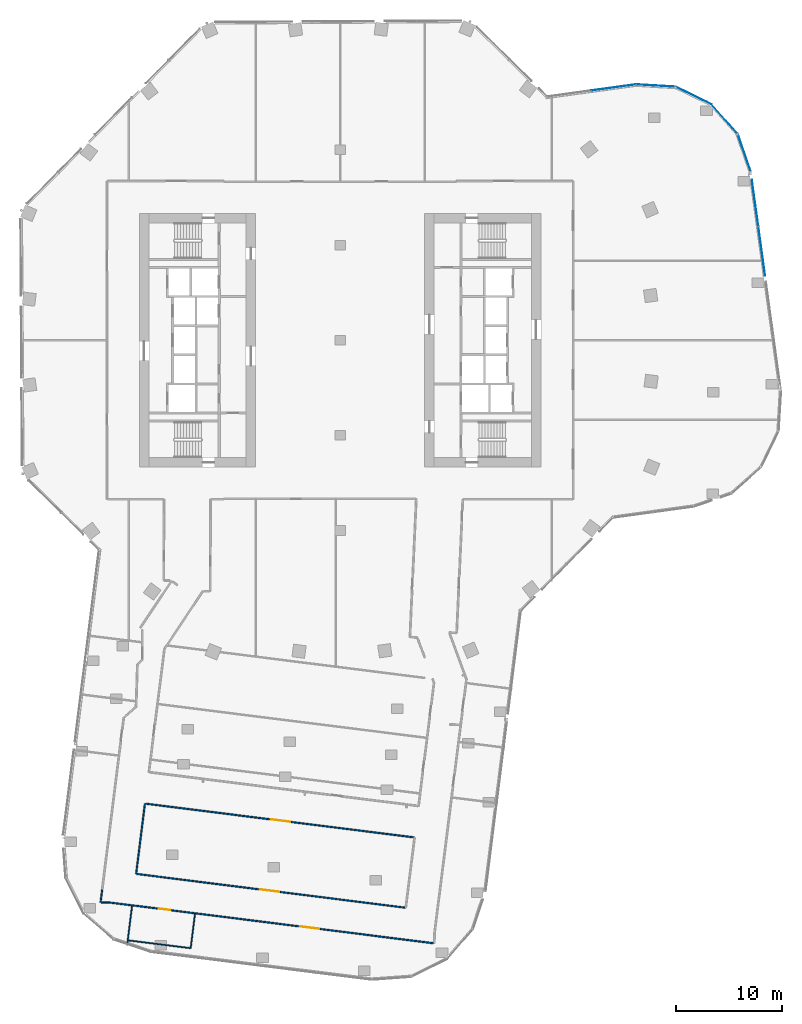
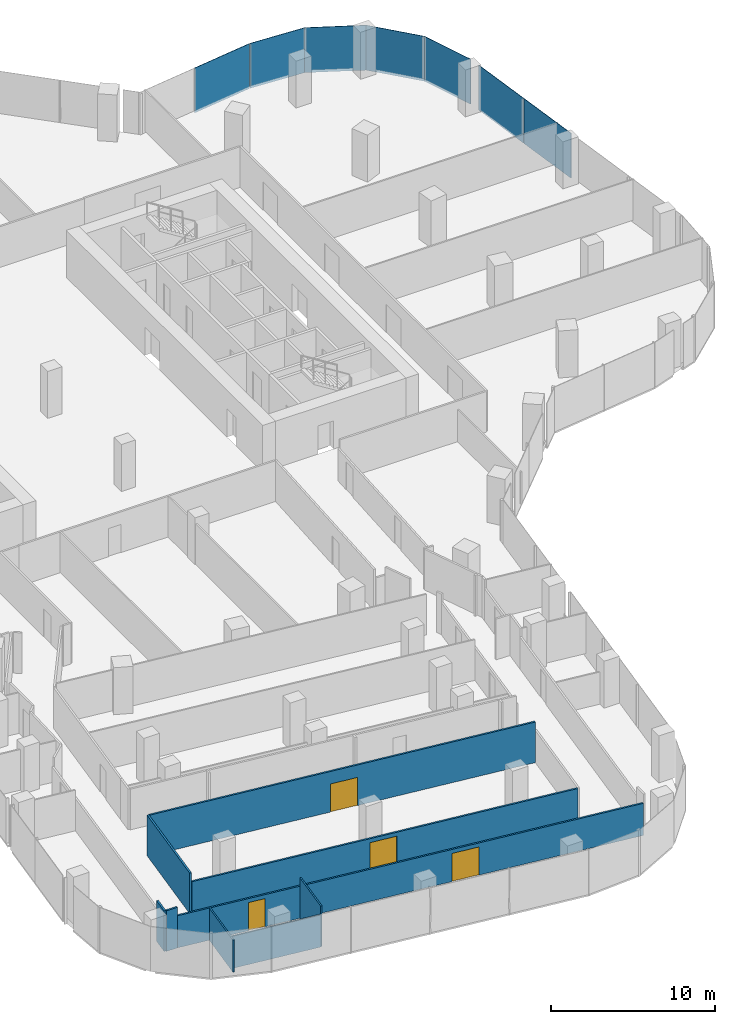
# One storey, part 18 of 27: 9 walls, 7 plates, 4 doors, 4 openings, 6 elements without a shape of their own.
"""IFC4 building model written with IfcOpenShell, lengths in metres."""

from ifc_helpers import new_model, si_unit, direction, frame, frame_2d, origin, origin_2d, place, context, subcontext, project, spatial, rectangle, extrude, material, layer, layer_set, type_object, element, fill, aggregate, save


model = new_model("IFC4")

# Units and contexts
model_context = context("Model", 3, precision=1e-05, world=origin(), true_north=direction((0.0, 1.0)))
body_context = subcontext(model_context, "Body", "Model", "MODEL_VIEW")
ifc_project = project(units=[si_unit("LENGTHUNIT", "METRE"), si_unit("AREAUNIT", "SQUARE_METRE"), si_unit("VOLUMEUNIT", "CUBIC_METRE"), si_unit("PLANEANGLEUNIT", "RADIAN"), si_unit("MASSUNIT", "GRAM", prefix="KILO")], contexts=[model_context])

# Site, building, storey
site_placement = place(None, origin())
site = spatial("IfcSite", under=ifc_project, at=site_placement, CompositionType="ELEMENT")
building_placement = place(site_placement, origin())
building = spatial("IfcBuilding", under=site, at=building_placement, Name="Orlundy Tower", CompositionType="ELEMENT")
storey_placement = place(building_placement, frame((0.0, 0.0, 199.10009765625)))
storey = spatial("IfcBuildingStorey", under=building, at=storey_placement, Name="L52", CompositionType="ELEMENT", Elevation=199.10009765625)

# Curtain wall, plate
ifc_material_1 = material(Name="Aluminium bronze anodised", Category="aluminium")
curtain_wall_type = type_object("IfcCurtainWallType", Name="CW1 wall", PredefinedType="NOTDEFINED", material=ifc_material_1)
curtain_wall_1_placement = place(storey_placement, origin())
curtain_wall_1 = element("IfcCurtainWall", 1, at=curtain_wall_1_placement, inside=storey, type_object=curtain_wall_type, Name="CW1 run 06", PredefinedType="NOTDEFINED")
ifc_material_2 = material(Name="Tinted glass", Category="glass")
ifc_layer_1 = layer(ifc_material_2, 0.031982421875)
ifc_layer_set_1 = layer_set([ifc_layer_1], Name="CW1 glass panel 32")
plate_type = type_object("IfcPlateType", Name="CW1 glass panel 32", PredefinedType="CURTAIN_PANEL", material=ifc_layer_set_1)
plate_1_placement = place(storey_placement, frame((25.857421875, 23.9111328125, -0.300048828125), z_axis=(0.0, 0.0, 1.0), x_axis=(0.990683386349, 0.136185270904, 0.0)))
plate_1 = element("IfcPlate", 2, at=plate_1_placement, type_object=plate_type, Name="CW1 panel", PredefinedType="CURTAIN_PANEL", context=body_context, shape_type="SweptSolid", body=[
    extrude(rectangle(XDim=4.232177734375, YDim=0.031982421875, at=origin_2d()), origin(), (0.0, 0.0, 1.0), 3.35009765625),
])
aggregate(curtain_wall_1, [plate_1])

curtain_wall_2_placement = place(storey_placement, origin())
curtain_wall_2 = element("IfcCurtainWall", 3, at=curtain_wall_2_placement, inside=storey, type_object=curtain_wall_type, Name="CW1 run 07", PredefinedType="NOTDEFINED")
plate_2_placement = place(storey_placement, frame((29.865478515625, 24.090576171875, -0.300048828125), z_axis=(0.0, 0.0, 1.0), x_axis=(0.998236959791, -0.059354630041, 0.0)))
plate_2 = element("IfcPlate", 4, at=plate_2_placement, type_object=plate_type, Name="CW1 panel", PredefinedType="CURTAIN_PANEL", context=body_context, shape_type="SweptSolid", body=[
    extrude(rectangle(XDim=3.730224609375, YDim=0.031982421875, at=origin_2d()), origin(), (0.0, 0.0, 1.0), 3.35009765625),
])
aggregate(curtain_wall_2, [plate_2])

curtain_wall_3_placement = place(storey_placement, origin())
curtain_wall_3 = element("IfcCurtainWall", 5, at=curtain_wall_3_placement, inside=storey, type_object=curtain_wall_type, Name="CW1 run 08", PredefinedType="NOTDEFINED")
plate_3_placement = place(storey_placement, frame((33.423583984375, 23.155029296875, -0.300048828125), z_axis=(0.0, 0.0, 1.0), x_axis=(0.89933544334, -0.43725937423, 0.0)))
plate_3 = element("IfcPlate", 6, at=plate_3_placement, type_object=plate_type, Name="CW1 panel", PredefinedType="CURTAIN_PANEL", context=body_context, shape_type="SweptSolid", body=[
    extrude(rectangle(XDim=3.7724609375, YDim=0.031982421875, at=origin_2d()), origin(), (0.0, 0.0, 1.0), 3.35009765625),
])
aggregate(curtain_wall_3, [plate_3])

curtain_wall_4_placement = place(storey_placement, origin())
curtain_wall_4 = element("IfcCurtainWall", 7, at=curtain_wall_4_placement, inside=storey, type_object=curtain_wall_type, Name="CW1 run 09", PredefinedType="NOTDEFINED")
plate_4_placement = place(storey_placement, frame((36.37158203125, 20.919921875, -0.300048828125), z_axis=(0.0, 0.0, 1.0), x_axis=(0.663760711342, -0.747944996694, 0.0)))
plate_4 = element("IfcPlate", 8, at=plate_4_placement, type_object=plate_type, Name="CW1 panel", PredefinedType="CURTAIN_PANEL", context=body_context, shape_type="SweptSolid", body=[
    extrude(rectangle(XDim=3.771484375, YDim=0.031982421875, at=origin_2d()), origin(), (0.0, 0.0, 1.0), 3.35009765625),
])
aggregate(curtain_wall_4, [plate_4])

curtain_wall_5_placement = place(storey_placement, origin())
curtain_wall_5 = element("IfcCurtainWall", 9, at=curtain_wall_5_placement, inside=storey, type_object=curtain_wall_type, Name="CW1 run 010", PredefinedType="NOTDEFINED")
plate_5_placement = place(storey_placement, frame((38.233154296875, 17.746826171875, -0.300048828125), z_axis=(0.0, 0.0, 1.0), x_axis=(0.32697157273, -0.945034174317, 0.0)))
plate_5 = element("IfcPlate", 10, at=plate_5_placement, type_object=plate_type, Name="CW1 panel", PredefinedType="CURTAIN_PANEL", context=body_context, shape_type="SweptSolid", body=[
    extrude(rectangle(XDim=3.73046875, YDim=0.031982421875, at=origin_2d()), origin(), (0.0, 0.0, 1.0), 3.35009765625),
])
aggregate(curtain_wall_5, [plate_5])

# Curtain wall, plates
curtain_wall_6_placement = place(storey_placement, origin())
curtain_wall_6 = element("IfcCurtainWall", 11, at=curtain_wall_6_placement, inside=storey, type_object=curtain_wall_type, Name="CW1 run 011", PredefinedType="NOTDEFINED")
plate_6_placement = place(storey_placement, frame((39.2607421875, 12.983642578125, -0.300048828125), z_axis=(0.0, 0.0, 1.0), x_axis=(0.13628610677, -0.990669519619, 0.0)))
plate_6 = element("IfcPlate", 12, at=plate_6_placement, type_object=plate_type, Name="CW1 panel", PredefinedType="CURTAIN_PANEL", context=body_context, shape_type="SweptSolid", body=[
    extrude(rectangle(XDim=4.47265625, YDim=0.031982421875, at=origin_2d()), origin(), (0.0, 0.0, 1.0), 3.35009765625),
])
plate_7_placement = place(storey_placement, frame((39.890869140625, 8.4033203125, -0.300048828125), z_axis=(0.0, 0.0, 1.0), x_axis=(0.13628610677, -0.990669519619, 0.0)))
plate_7 = element("IfcPlate", 13, at=plate_7_placement, type_object=plate_type, Name="CW1 panel", PredefinedType="CURTAIN_PANEL", context=body_context, shape_type="SweptSolid", body=[
    extrude(rectangle(XDim=4.67431640625, YDim=0.031982421875, at=origin_2d()), origin(), (0.0, 0.0, 1.0), 3.35009765625),
])
aggregate(curtain_wall_6, [plate_6, plate_7])

# Walls
ifc_material_3 = material(Name="Gypsum board partition")
ifc_layer_2 = layer(ifc_material_3, 0.10009765625)
ifc_layer_set_2 = layer_set([ifc_layer_2], Name="Floor partition 100")
wall_type_1 = type_object("IfcWallType", Name="Floor partition 100", PredefinedType="PARTITIONING", material=ifc_layer_set_2)
wall_1_placement = place(storey_placement, frame((-14.14111328125, -57.51708984375, 0.0), z_axis=(0.0, 0.0, 1.0), x_axis=(0.124586287257, 0.992208776935, 0.0)))
element("IfcWall", 14, at=wall_1_placement, inside=storey, type_object=wall_type_1, Name="wall-int-L52-050", PredefinedType="PARTITIONING", context=body_context, shape_type="SweptSolid", body=[
    extrude(rectangle(XDim=3.2685546875, YDim=0.10009765625, at=frame_2d((1.63427734375, 0.0))), origin(), (0.0, 0.0, 1.0), 3.02978515625),
])
ifc_material_4 = material(Name="Gypsum board partition")
ifc_layer_3 = layer(ifc_material_4, 0.10009765625)
ifc_layer_set_3 = layer_set([ifc_layer_3], Name="Floor partition 100 B")
wall_type_2 = type_object("IfcWallType", Name="Floor partition 100 B", PredefinedType="PARTITIONING", material=ifc_layer_set_3)
wall_2_placement = place(storey_placement, frame((-20.044921875, -56.77490234375, 0.0), z_axis=(0.0, 0.0, 1.0), x_axis=(0.992184639026, -0.124778371847, 0.0)))
element("IfcWall", 15, at=wall_2_placement, inside=storey, type_object=wall_type_2, Name="wall-int-L52-007", PredefinedType="PARTITIONING", context=body_context, shape_type="SweptSolid", body=[
    extrude(rectangle(XDim=5.899169921875, YDim=0.10009765625, at=frame_2d((2.94970703125, 0.0))), origin(), (0.0, 0.0, 1.0), 2.39501953125),
])
wall_3_placement = place(storey_placement, frame((-20.152099609375, -57.218994140625, 0.0), z_axis=(0.0, 0.0, 1.0), x_axis=(0.124656149898, 0.992200002163, 0.0)))
element("IfcWall", 16, at=wall_3_placement, inside=storey, type_object=wall_type_2, Name="wall-int-L52-053", PredefinedType="PARTITIONING", context=body_context, shape_type="SweptSolid", body=[
    extrude(rectangle(XDim=3.72314453125, YDim=0.10009765625, at=frame_2d((1.861572265625, 0.0))), origin(), (0.0, 0.0, 1.0), 2.39501953125),
])

# Wall, opening, door
ifc_material_5 = material(Name="Gypsum board partition, double layer")
ifc_layer_4 = layer(ifc_material_5, 0.125)
ifc_layer_set_4 = layer_set([ifc_layer_4], Name="Floor partition 125")
wall_type_3 = type_object("IfcWallType", Name="Floor partition 125", PredefinedType="PARTITIONING", material=ifc_layer_set_4)
wall_4_placement = place(storey_placement, frame((6.97900390625, -47.034912109375, 0.0), z_axis=(0.0, 0.0, 1.0), x_axis=(-0.992192052325, 0.124719410292, 0.0)))
wall_4 = element("IfcWall", 17, at=wall_4_placement, inside=storey, type_object=wall_type_3, Name="wall-int-L52-010", PredefinedType="PARTITIONING", context=body_context, shape_type="SweptSolid", body=[
    extrude(rectangle(XDim=25.584716796875, YDim=0.125, at=frame_2d((12.79248046875, 0.0))), origin(), (0.0, 0.0, 1.0), 3.02978515625),
])
opening_1_placement = place(wall_4_placement, frame((11.78759765625, 0.0, 0.0)))
opening_1 = element("IfcOpeningElement", 18, at=opening_1_placement, cuts=wall_4, Name="Opening 40107", PredefinedType="OPENING", context=body_context, shape_type="SweptSolid", body=[
    extrude(rectangle(XDim=1.800048828125, YDim=2.10009765625, at=frame_2d((0.89990234375, 1.050048828125))), frame((0.0, 0.072509765625, 0.0), z_axis=(0.0, -1.0, 0.0), x_axis=(1.0, 0.0, 0.0)), (0.0, 0.0, 1.0), 0.14501953125),
])
ifc_material_6 = material(Name="Timber door leaf", Category="wood")
door_type_1 = type_object("IfcDoorType", Name="Floor door double 1800 FD30S", OperationType="NOTDEFINED", PredefinedType="DOOR", material=ifc_material_6)
door_1_placement = place(opening_1_placement, origin())
door_1 = element("IfcDoor", 19, at=door_1_placement, inside=storey, type_object=door_type_1, Name="Door 40107", OperationType="DOUBLE_DOOR_SINGLE_SWING", OverallHeight=2.10009765625, OverallWidth=1.800048828125, PredefinedType="DOOR", context=body_context, shape_type="SweptSolid", body=[
    extrude(rectangle(XDim=1.800048828125, YDim=2.10009765625, at=frame_2d((0.89990234375, 1.050048828125))), frame((0.0, 0.02490234375, 0.0), z_axis=(0.0, -1.0, 0.0), x_axis=(1.0, 0.0, 0.0)), (0.0, 0.0, 1.0), 0.050048828125),
])
fill(opening_1, door_1)

# Walls
wall_5_placement = place(storey_placement, frame((-22.60595703125, -53.18408203125, 0.0), z_axis=(0.0, 0.0, 1.0), x_axis=(0.999948794941, -0.010119658899, 0.0)))
element("IfcWall", 20, at=wall_5_placement, inside=storey, type_object=wall_type_3, Name="wall-int-L52-025", PredefinedType="PARTITIONING", context=body_context, shape_type="SweptSolid", body=[
    extrude(rectangle(XDim=0.77197265625, YDim=0.125, at=frame_2d((0.385986328125, 0.0))), origin(), (0.0, 0.0, 1.0), 3.02978515625),
])
wall_6_placement = place(storey_placement, frame((-19.303955078125, -50.486083984375, 0.0), z_axis=(0.0, 0.0, 1.0), x_axis=(0.124720623553, 0.992191899816, 0.0)))
element("IfcWall", 21, at=wall_6_placement, inside=storey, type_object=wall_type_3, Name="wall-int-L52-051", PredefinedType="PARTITIONING", context=body_context, shape_type="SweptSolid", body=[
    extrude(rectangle(XDim=6.702392578125, YDim=0.125, at=frame_2d((3.35107421875, 0.0))), origin(), (0.0, 0.0, 1.0), 3.02978515625),
])
wall_7_placement = place(storey_placement, frame((-22.66796875, -53.181884765625, 0.0), z_axis=(0.0, 0.0, 1.0), x_axis=(0.124237932287, 0.992252455871, 0.0)))
element("IfcWall", 22, at=wall_7_placement, inside=storey, type_object=wall_type_3, Name="wall-int-L52-057", PredefinedType="PARTITIONING", context=body_context, shape_type="SweptSolid", body=[
    extrude(rectangle(XDim=1.18310546875, YDim=0.125, at=frame_2d((0.591552734375, 0.0))), origin(), (0.0, 0.0, 1.0), 3.02978515625),
])

# Wall, openings, doors
ifc_material_7 = material(Name="Gypsum board partition, double layer")
ifc_layer_5 = layer(ifc_material_7, 0.125)
ifc_layer_set_5 = layer_set([ifc_layer_5], Name="Floor partition 125 B")
wall_type_4 = type_object("IfcWallType", Name="Floor partition 125 B", PredefinedType="PARTITIONING", material=ifc_layer_set_5)
wall_8_placement = place(storey_placement, frame((8.822998046875, -57.049072265625, 0.0), z_axis=(0.0, 0.0, 1.0), x_axis=(-0.992177755652, 0.124833093322, 0.0)))
wall_8 = element("IfcWall", 23, at=wall_8_placement, inside=storey, type_object=wall_type_4, Name="wall-int-L52-008", PredefinedType="PARTITIONING", context=body_context, shape_type="SweptSolid", body=[
    extrude(rectangle(XDim=30.898681640625, YDim=0.125, at=frame_2d((15.44921875, 0.0))), origin(), (0.0, 0.0, 1.0), 2.39501953125),
])
opening_2_placement = place(wall_8_placement, frame((10.892333984375, 0.0, 0.0)))
opening_2 = element("IfcOpeningElement", 24, at=opening_2_placement, cuts=wall_8, Name="Opening 40108", PredefinedType="OPENING", context=body_context, shape_type="SweptSolid", body=[
    extrude(rectangle(XDim=1.800048828125, YDim=2.10009765625, at=frame_2d((0.89990234375, 1.050048828125))), frame((0.0, 0.072509765625, 0.0), z_axis=(0.0, -1.0, 0.0), x_axis=(1.0, 0.0, 0.0)), (0.0, 0.0, 1.0), 0.14501953125),
])
opening_3_placement = place(wall_8_placement, frame((25.076904296875, 0.0, 0.0)))
opening_3 = element("IfcOpeningElement", 25, at=opening_3_placement, cuts=wall_8, Name="Opening 40127", PredefinedType="OPENING", context=body_context, shape_type="SweptSolid", body=[
    extrude(rectangle(XDim=1.10009765625, YDim=2.10009765625, at=frame_2d((0.550048828125, 1.050048828125))), frame((0.0, 0.072509765625, 0.0), z_axis=(0.0, -1.0, 0.0), x_axis=(1.0, 0.0, 0.0)), (0.0, 0.0, 1.0), 0.14501953125),
])
door_2_placement = place(opening_2_placement, origin())
door_2 = element("IfcDoor", 26, at=door_2_placement, inside=storey, type_object=door_type_1, Name="Door 40108", OperationType="DOUBLE_DOOR_SINGLE_SWING", OverallHeight=2.10009765625, OverallWidth=1.800048828125, PredefinedType="DOOR", context=body_context, shape_type="SweptSolid", body=[
    extrude(rectangle(XDim=1.800048828125, YDim=2.10009765625, at=frame_2d((0.89990234375, 1.050048828125))), frame((0.0, 0.02490234375, 0.0), z_axis=(0.0, -1.0, 0.0), x_axis=(1.0, 0.0, 0.0)), (0.0, 0.0, 1.0), 0.050048828125),
])
fill(opening_2, door_2)
ifc_material_8 = material(Name="Timber door leaf", Category="wood")
door_type_2 = type_object("IfcDoorType", Name="Floor door xwide 1100 FD30S", OperationType="NOTDEFINED", PredefinedType="DOOR", material=ifc_material_8)
door_3_placement = place(opening_3_placement, origin())
door_3 = element("IfcDoor", 27, at=door_3_placement, inside=storey, type_object=door_type_2, Name="Door 40127", OperationType="SINGLE_SWING_RIGHT", OverallHeight=2.10009765625, OverallWidth=1.10009765625, PredefinedType="DOOR", context=body_context, shape_type="SweptSolid", body=[
    extrude(rectangle(XDim=1.10009765625, YDim=2.10009765625, at=frame_2d((0.550048828125, 1.050048828125))), frame((0.0, 0.02490234375, 0.0), z_axis=(0.0, -1.0, 0.0), x_axis=(1.0, 0.0, 0.0)), (0.0, 0.0, 1.0), 0.050048828125),
])
fill(opening_3, door_3)

# Wall, opening, door
wall_9_placement = place(storey_placement, frame((-19.241943359375, -50.493896484375, 0.0), z_axis=(0.0, 0.0, 1.0), x_axis=(0.992190871449, -0.124728804262, 0.0)))
wall_9 = element("IfcWall", 28, at=wall_9_placement, inside=storey, type_object=wall_type_4, Name="wall-int-L52-009", PredefinedType="PARTITIONING", context=body_context, shape_type="SweptSolid", body=[
    extrude(rectangle(XDim=25.584716796875, YDim=0.125, at=frame_2d((12.79248046875, 0.0))), origin(), (0.0, 0.0, 1.0), 2.39501953125),
])
opening_4_placement = place(wall_9_placement, frame((11.78759765625, 0.0, 0.0)))
opening_4 = element("IfcOpeningElement", 29, at=opening_4_placement, cuts=wall_9, Name="Opening 40106", PredefinedType="OPENING", context=body_context, shape_type="SweptSolid", body=[
    extrude(rectangle(XDim=1.800048828125, YDim=2.10009765625, at=frame_2d((0.89990234375, 1.050048828125))), frame((0.0, 0.072509765625, 0.0), z_axis=(0.0, -1.0, 0.0), x_axis=(1.0, 0.0, 0.0)), (0.0, 0.0, 1.0), 0.14501953125),
])
door_4_placement = place(opening_4_placement, origin())
door_4 = element("IfcDoor", 30, at=door_4_placement, inside=storey, type_object=door_type_1, Name="Door 40106", OperationType="DOUBLE_DOOR_SINGLE_SWING", OverallHeight=2.10009765625, OverallWidth=1.800048828125, PredefinedType="DOOR", context=body_context, shape_type="SweptSolid", body=[
    extrude(rectangle(XDim=1.800048828125, YDim=2.10009765625, at=frame_2d((0.89990234375, 1.050048828125))), frame((0.0, 0.02490234375, 0.0), z_axis=(0.0, -1.0, 0.0), x_axis=(1.0, 0.0, 0.0)), (0.0, 0.0, 1.0), 0.050048828125),
])
fill(opening_4, door_4)

save(model, "model.ifc")
